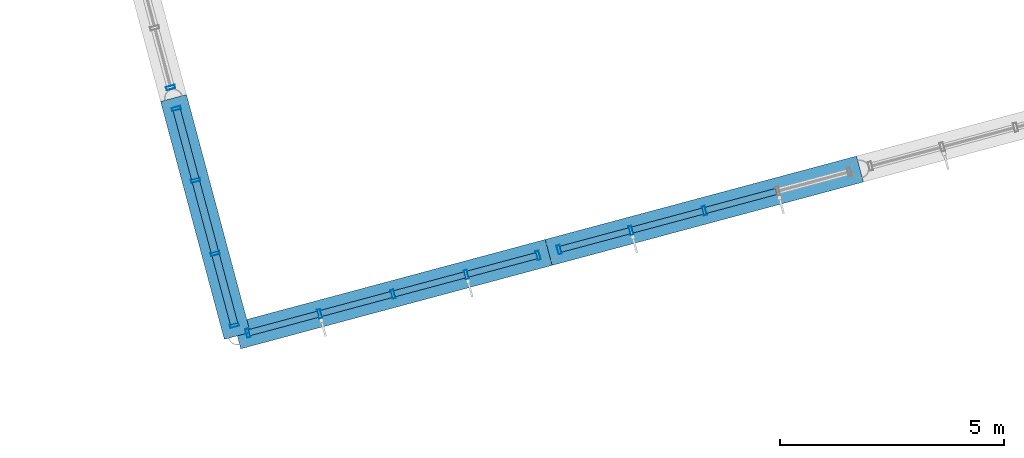
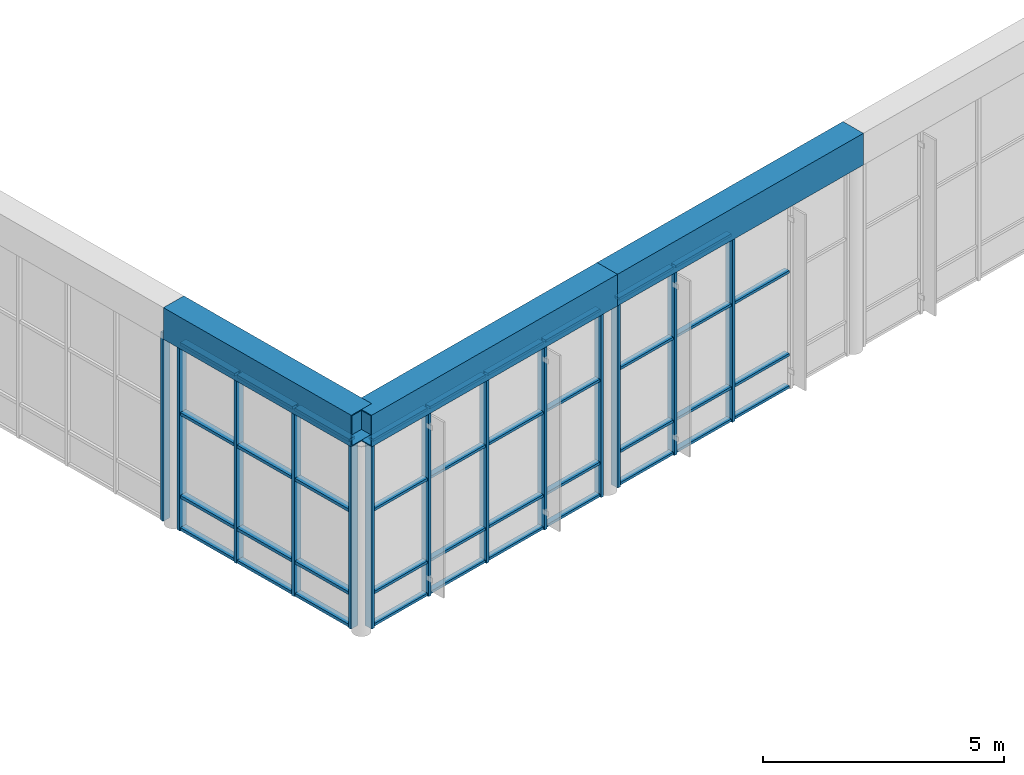
# One storey, part 11 of 55: 52 members, 3 beams, 4 elements without a shape of their own.
"""IFC4 building model written with IfcOpenShell, lengths in metres."""

from ifc_helpers import new_model, si_unit, direction, frame, origin, origin_2d, place, context, subcontext, project, spatial, hollow_rectangle, extrude, material, layer, layer_set, material_profile, profile_set, type_object, element, aggregate, save


model = new_model("IFC4")

# Units and contexts
model_context = context("Model", 3, precision=1e-05, world=origin(), true_north=direction((0.0, 1.0)))
body_context = subcontext(model_context, "Body", "Model", "MODEL_VIEW")
ifc_project = project(units=[si_unit("LENGTHUNIT", "METRE"), si_unit("AREAUNIT", "SQUARE_METRE"), si_unit("VOLUMEUNIT", "CUBIC_METRE"), si_unit("PLANEANGLEUNIT", "RADIAN"), si_unit("MASSUNIT", "GRAM", prefix="KILO")], contexts=[model_context])

# Site, building, storey
site_placement = place(None, origin())
site = spatial("IfcSite", under=ifc_project, at=site_placement, CompositionType="ELEMENT")
building_placement = place(site_placement, origin())
building = spatial("IfcBuilding", under=site, at=building_placement, Name="Ventoquebrada Cableway Terminal", CompositionType="ELEMENT")
storey_placement = place(building_placement, frame((0.0, 0.0, 14.39990234375)))
storey = spatial("IfcBuildingStorey", under=building, at=storey_placement, Name="L03", CompositionType="ELEMENT", Elevation=14.39990234375)

# Curtain wall, members
ifc_material_1 = material(Name="Anodized thermally-broken aluminium", Category="aluminium")
ifc_layer_1 = layer(ifc_material_1, 0.159912109375)
ifc_layer_set_1 = layer_set([ifc_layer_1], Name="Anodized thermally-broken aluminium")
curtain_wall_type_1 = type_object("IfcCurtainWallType", Name="CW-T42", PredefinedType="USERDEFINED", material=ifc_layer_set_1)
curtain_wall_1_placement = place(storey_placement, origin())
curtain_wall_1 = element("IfcCurtainWall", 1, at=curtain_wall_1_placement, inside=storey, type_object=curtain_wall_type_1, Name="Unitised glazed curtain wall CW-115", ObjectType="UNITISED CURTAIN WALL", PredefinedType="USERDEFINED")
ifc_material_profile_1 = material_profile(ifc_material_1, hollow_rectangle(XDim=0.074951171875, YDim=0.199951171875, WallThickness=0.00439453125, at=origin_2d()), Name="CW-MUL-75X200")
ifc_profile_set_1 = profile_set([ifc_material_profile_1], Name="Anodized thermally-broken aluminium")
member_type_1 = type_object("IfcMemberType", Name="CWM-02", PredefinedType="MULLION", material=ifc_profile_set_1)
member_1_placement = place(storey_placement, frame((52.212890625, 69.846923828125, -0.0078125), z_axis=(0.0, 0.0, 1.0), x_axis=(0.965921308897, 0.258835903649, 0.0)))
member_1 = element("IfcMember", 2, at=member_1_placement, type_object=member_type_1, Name="Curtain wall mullion FML-0556", PredefinedType="MULLION", context=body_context, shape_type="SweptSolid", body=[
    extrude(hollow_rectangle(XDim=0.074951171875, YDim=0.199951171875, WallThickness=0.00439453125, at=origin_2d()), origin(), (0.0, 0.0, 1.0), 4.762939453125),
])
member_2_placement = place(storey_placement, frame((53.81689453125, 70.277099609375, -0.0078125), z_axis=(0.0, 0.0, 1.0), x_axis=(0.965921308897, 0.258835903649, 0.0)))
member_2 = element("IfcMember", 3, at=member_2_placement, type_object=member_type_1, Name="Curtain wall mullion FML-0557", PredefinedType="MULLION", context=body_context, shape_type="SweptSolid", body=[
    extrude(hollow_rectangle(XDim=0.074951171875, YDim=0.199951171875, WallThickness=0.00439453125, at=origin_2d()), origin(), (0.0, 0.0, 1.0), 4.762939453125),
])
member_3_placement = place(storey_placement, frame((55.4560546875, 70.716064453125, -0.0078125), z_axis=(0.0, 0.0, 1.0), x_axis=(0.965921308897, 0.258835903649, 0.0)))
member_3 = element("IfcMember", 4, at=member_3_placement, type_object=member_type_1, Name="Curtain wall mullion FML-0558", PredefinedType="MULLION", context=body_context, shape_type="SweptSolid", body=[
    extrude(hollow_rectangle(XDim=0.074951171875, YDim=0.199951171875, WallThickness=0.00439453125, at=origin_2d()), origin(), (0.0, 0.0, 1.0), 4.762939453125),
])
member_4_placement = place(storey_placement, frame((57.093994140625, 71.155029296875, -0.0078125), z_axis=(0.0, 0.0, 1.0), x_axis=(0.965921308897, 0.258835903649, 0.0)))
member_4 = element("IfcMember", 5, at=member_4_placement, type_object=member_type_1, Name="Curtain wall mullion FML-0559", PredefinedType="MULLION", context=body_context, shape_type="SweptSolid", body=[
    extrude(hollow_rectangle(XDim=0.074951171875, YDim=0.199951171875, WallThickness=0.00439453125, at=origin_2d()), origin(), (0.0, 0.0, 1.0), 4.762939453125),
])
member_5_placement = place(storey_placement, frame((58.697998046875, 71.5849609375, -0.0078125), z_axis=(0.0, 0.0, 1.0), x_axis=(0.965921308897, 0.258835903649, 0.0)))
member_5 = element("IfcMember", 6, at=member_5_placement, type_object=member_type_1, Name="Curtain wall mullion FML-0560", PredefinedType="MULLION", context=body_context, shape_type="SweptSolid", body=[
    extrude(hollow_rectangle(XDim=0.074951171875, YDim=0.199951171875, WallThickness=0.00439453125, at=origin_2d()), origin(), (0.0, 0.0, 1.0), 4.762939453125),
])

curtain_wall_2_placement = place(storey_placement, origin())
curtain_wall_2 = element("IfcCurtainWall", 7, at=curtain_wall_2_placement, inside=storey, type_object=curtain_wall_type_1, Name="Unitised glazed curtain wall CW-116", ObjectType="UNITISED CURTAIN WALL", PredefinedType="USERDEFINED")
member_6_placement = place(storey_placement, frame((59.16796875, 71.7109375, -0.0078125), z_axis=(0.0, 0.0, 1.0), x_axis=(0.965948408834, 0.258734751187, 0.0)))
member_6 = element("IfcMember", 8, at=member_6_placement, type_object=member_type_1, Name="Curtain wall mullion FML-0561", PredefinedType="MULLION", context=body_context, shape_type="SweptSolid", body=[
    extrude(hollow_rectangle(XDim=0.074951171875, YDim=0.199951171875, WallThickness=0.00439453125, at=origin_2d()), origin(), (0.0, 0.0, 1.0), 4.762939453125),
])
member_7_placement = place(storey_placement, frame((60.77197265625, 72.14111328125, -0.0078125), z_axis=(0.0, 0.0, 1.0), x_axis=(0.965948408834, 0.258734751187, 0.0)))
member_7 = element("IfcMember", 9, at=member_7_placement, type_object=member_type_1, Name="Curtain wall mullion FML-0562", PredefinedType="MULLION", context=body_context, shape_type="SweptSolid", body=[
    extrude(hollow_rectangle(XDim=0.074951171875, YDim=0.199951171875, WallThickness=0.00439453125, at=origin_2d()), origin(), (0.0, 0.0, 1.0), 4.762939453125),
])
member_8_placement = place(storey_placement, frame((62.409912109375, 72.5791015625, -0.0078125), z_axis=(0.0, 0.0, 1.0), x_axis=(0.965948408834, 0.258734751187, 0.0)))
member_8 = element("IfcMember", 10, at=member_8_placement, type_object=member_type_1, Name="Curtain wall mullion FML-0563", PredefinedType="MULLION", context=body_context, shape_type="SweptSolid", body=[
    extrude(hollow_rectangle(XDim=0.074951171875, YDim=0.199951171875, WallThickness=0.00439453125, at=origin_2d()), origin(), (0.0, 0.0, 1.0), 4.762939453125),
])

ifc_layer_2 = layer(ifc_material_1, 0.159912109375)
ifc_layer_set_2 = layer_set([ifc_layer_2], Name="Anodized thermally-broken aluminium")
curtain_wall_type_2 = type_object("IfcCurtainWallType", Name="CW-T43", PredefinedType="USERDEFINED", material=ifc_layer_set_2)
curtain_wall_3_placement = place(storey_placement, origin())
curtain_wall_3 = element("IfcCurtainWall", 11, at=curtain_wall_3_placement, inside=storey, type_object=curtain_wall_type_2, Name="Unitised glazed curtain wall CW-125", ObjectType="UNITISED CURTAIN WALL", PredefinedType="USERDEFINED")
member_9_placement = place(storey_placement, frame((50.616943359375, 74.862060546875, -0.0078125), z_axis=(0.0, 0.0, 1.0), x_axis=(0.258835903649, -0.965921308897, 0.0)))
member_9 = element("IfcMember", 12, at=member_9_placement, type_object=member_type_1, Name="Curtain wall mullion FML-0606", PredefinedType="MULLION", context=body_context, shape_type="SweptSolid", body=[
    extrude(hollow_rectangle(XDim=0.074951171875, YDim=0.199951171875, WallThickness=0.00439453125, at=origin_2d()), origin(), (0.0, 0.0, 1.0), 4.762939453125),
])
member_10_placement = place(storey_placement, frame((51.047119140625, 73.259033203125, -0.0078125), z_axis=(0.0, 0.0, 1.0), x_axis=(0.258835903649, -0.965921308897, 0.0)))
member_10 = element("IfcMember", 13, at=member_10_placement, type_object=member_type_1, Name="Curtain wall mullion FML-0607", PredefinedType="MULLION", context=body_context, shape_type="SweptSolid", body=[
    extrude(hollow_rectangle(XDim=0.074951171875, YDim=0.199951171875, WallThickness=0.00439453125, at=origin_2d()), origin(), (0.0, 0.0, 1.0), 4.762939453125),
])
member_11_placement = place(storey_placement, frame((51.485107421875, 71.6220703125, -0.0078125), z_axis=(0.0, 0.0, 1.0), x_axis=(0.258835903649, -0.965921308897, 0.0)))
member_11 = element("IfcMember", 14, at=member_11_placement, type_object=member_type_1, Name="Curtain wall mullion FML-0608", PredefinedType="MULLION", context=body_context, shape_type="SweptSolid", body=[
    extrude(hollow_rectangle(XDim=0.074951171875, YDim=0.199951171875, WallThickness=0.00439453125, at=origin_2d()), origin(), (0.0, 0.0, 1.0), 4.762939453125),
])
member_12_placement = place(storey_placement, frame((51.9150390625, 70.01904296875, -0.0078125), z_axis=(0.0, 0.0, 1.0), x_axis=(0.258835903649, -0.965921308897, 0.0)))
member_12 = element("IfcMember", 15, at=member_12_placement, type_object=member_type_1, Name="Curtain wall mullion FML-0609", PredefinedType="MULLION", context=body_context, shape_type="SweptSolid", body=[
    extrude(hollow_rectangle(XDim=0.074951171875, YDim=0.199951171875, WallThickness=0.00439453125, at=origin_2d()), origin(), (0.0, 0.0, 1.0), 4.762939453125),
])

# Curtain wall, member
ifc_layer_3 = layer(ifc_material_1, 0.159912109375)
ifc_layer_set_3 = layer_set([ifc_layer_3], Name="Anodized thermally-broken aluminium")
curtain_wall_type_3 = type_object("IfcCurtainWallType", Name="CW-T44", PredefinedType="USERDEFINED", material=ifc_layer_set_3)
curtain_wall_4_placement = place(storey_placement, origin())
curtain_wall_4 = element("IfcCurtainWall", 16, at=curtain_wall_4_placement, inside=storey, type_object=curtain_wall_type_3, Name="Unitised glazed curtain wall CW-126", ObjectType="UNITISED CURTAIN WALL", PredefinedType="USERDEFINED")
member_13_placement = place(storey_placement, frame((50.490966796875, 75.33203125, -0.0078125), z_axis=(0.0, 0.0, 1.0), x_axis=(0.258785327773, -0.96593486019, 0.0)))
member_13 = element("IfcMember", 17, at=member_13_placement, type_object=member_type_1, Name="Curtain wall mullion FML-0615", PredefinedType="MULLION", context=body_context, shape_type="SweptSolid", body=[
    extrude(hollow_rectangle(XDim=0.074951171875, YDim=0.199951171875, WallThickness=0.00439453125, at=origin_2d()), origin(), (0.0, 0.0, 1.0), 4.762939453125),
])
aggregate(curtain_wall_4, [member_13])

# Member
ifc_material_profile_2 = material_profile(ifc_material_1, hollow_rectangle(XDim=0.06494140625, YDim=0.139892578125, WallThickness=0.00390625, at=origin_2d()), Name="CW-TRN-65X140")
ifc_profile_set_2 = profile_set([ifc_material_profile_2], Name="Anodized thermally-broken aluminium")
member_type_2 = type_object("IfcMemberType", Name="CWT-01", PredefinedType="USERDEFINED", material=ifc_profile_set_2)
member_14_placement = place(storey_placement, frame((52.243896484375, 69.85498046875, 0.03515625), z_axis=(0.965786809484, 0.259337306663, 0.0), x_axis=(0.0, 0.0, 1.0)))
member_14 = element("IfcMember", 18, at=member_14_placement, type_object=member_type_2, Name="Curtain wall transom FTR-1632", ObjectType="TRANSOM", PredefinedType="USERDEFINED", context=body_context, shape_type="SweptSolid", body=[
    extrude(hollow_rectangle(XDim=0.06494140625, YDim=0.139892578125, WallThickness=0.00390625, at=origin_2d()), origin(), (0.0, 0.0, 1.0), 1.5966796875),
])

member_15_placement = place(storey_placement, frame((52.243896484375, 69.85498046875, 0.85009765625), z_axis=(0.965786809484, 0.259337306663, 0.0), x_axis=(0.0, 0.0, 1.0)))
member_15 = element("IfcMember", 19, at=member_15_placement, type_object=member_type_2, Name="Curtain wall transom FTR-1633", ObjectType="TRANSOM", PredefinedType="USERDEFINED", context=body_context, shape_type="SweptSolid", body=[
    extrude(hollow_rectangle(XDim=0.06494140625, YDim=0.139892578125, WallThickness=0.00390625, at=origin_2d()), origin(), (0.0, 0.0, 1.0), 1.5966796875),
])

member_16_placement = place(storey_placement, frame((52.243896484375, 69.85498046875, 2.945068359375), z_axis=(0.965786809484, 0.259337306663, 0.0), x_axis=(0.0, 0.0, 1.0)))
member_16 = element("IfcMember", 20, at=member_16_placement, type_object=member_type_2, Name="Curtain wall transom FTR-1634", ObjectType="TRANSOM", PredefinedType="USERDEFINED", context=body_context, shape_type="SweptSolid", body=[
    extrude(hollow_rectangle(XDim=0.06494140625, YDim=0.139892578125, WallThickness=0.00390625, at=origin_2d()), origin(), (0.0, 0.0, 1.0), 1.5966796875),
])

member_17_placement = place(storey_placement, frame((52.243896484375, 69.85498046875, 4.715087890625), z_axis=(0.965786809484, 0.259337306663, 0.0), x_axis=(0.0, 0.0, 1.0)))
member_17 = element("IfcMember", 21, at=member_17_placement, type_object=member_type_2, Name="Curtain wall transom FTR-1635", ObjectType="TRANSOM", PredefinedType="USERDEFINED", context=body_context, shape_type="SweptSolid", body=[
    extrude(hollow_rectangle(XDim=0.06494140625, YDim=0.139892578125, WallThickness=0.00390625, at=origin_2d()), origin(), (0.0, 0.0, 1.0), 1.5966796875),
])

member_18_placement = place(storey_placement, frame((53.84912109375, 70.284912109375, 0.03515625), z_axis=(0.965758711312, 0.259441923222, 0.0), x_axis=(0.0, 0.0, 1.0)))
member_18 = element("IfcMember", 22, at=member_18_placement, type_object=member_type_2, Name="Curtain wall transom FTR-1636", ObjectType="TRANSOM", PredefinedType="USERDEFINED", context=body_context, shape_type="SweptSolid", body=[
    extrude(hollow_rectangle(XDim=0.06494140625, YDim=0.139892578125, WallThickness=0.00390625, at=origin_2d()), origin(), (0.0, 0.0, 1.0), 1.630859375),
])

member_19_placement = place(storey_placement, frame((53.84912109375, 70.284912109375, 0.85009765625), z_axis=(0.965758711312, 0.259441923222, 0.0), x_axis=(0.0, 0.0, 1.0)))
member_19 = element("IfcMember", 23, at=member_19_placement, type_object=member_type_2, Name="Curtain wall transom FTR-1637", ObjectType="TRANSOM", PredefinedType="USERDEFINED", context=body_context, shape_type="SweptSolid", body=[
    extrude(hollow_rectangle(XDim=0.06494140625, YDim=0.139892578125, WallThickness=0.00390625, at=origin_2d()), origin(), (0.0, 0.0, 1.0), 1.630859375),
])

member_20_placement = place(storey_placement, frame((53.84912109375, 70.284912109375, 2.945068359375), z_axis=(0.965758711312, 0.259441923222, 0.0), x_axis=(0.0, 0.0, 1.0)))
member_20 = element("IfcMember", 24, at=member_20_placement, type_object=member_type_2, Name="Curtain wall transom FTR-1638", ObjectType="TRANSOM", PredefinedType="USERDEFINED", context=body_context, shape_type="SweptSolid", body=[
    extrude(hollow_rectangle(XDim=0.06494140625, YDim=0.139892578125, WallThickness=0.00390625, at=origin_2d()), origin(), (0.0, 0.0, 1.0), 1.630859375),
])

member_21_placement = place(storey_placement, frame((53.84912109375, 70.284912109375, 4.715087890625), z_axis=(0.965758711312, 0.259441923222, 0.0), x_axis=(0.0, 0.0, 1.0)))
member_21 = element("IfcMember", 25, at=member_21_placement, type_object=member_type_2, Name="Curtain wall transom FTR-1639", ObjectType="TRANSOM", PredefinedType="USERDEFINED", context=body_context, shape_type="SweptSolid", body=[
    extrude(hollow_rectangle(XDim=0.06494140625, YDim=0.139892578125, WallThickness=0.00390625, at=origin_2d()), origin(), (0.0, 0.0, 1.0), 1.630859375),
])

member_22_placement = place(storey_placement, frame((55.487060546875, 70.72412109375, 0.03515625), z_axis=(0.96579621296, 0.259302285048, 0.0), x_axis=(0.0, 0.0, 1.0)))
member_22 = element("IfcMember", 26, at=member_22_placement, type_object=member_type_2, Name="Curtain wall transom FTR-1640", ObjectType="TRANSOM", PredefinedType="USERDEFINED", context=body_context, shape_type="SweptSolid", body=[
    extrude(hollow_rectangle(XDim=0.06494140625, YDim=0.139892578125, WallThickness=0.00390625, at=origin_2d()), origin(), (0.0, 0.0, 1.0), 1.630615234375),
])

member_23_placement = place(storey_placement, frame((55.487060546875, 70.72412109375, 0.85009765625), z_axis=(0.96579621296, 0.259302285048, 0.0), x_axis=(0.0, 0.0, 1.0)))
member_23 = element("IfcMember", 27, at=member_23_placement, type_object=member_type_2, Name="Curtain wall transom FTR-1641", ObjectType="TRANSOM", PredefinedType="USERDEFINED", context=body_context, shape_type="SweptSolid", body=[
    extrude(hollow_rectangle(XDim=0.06494140625, YDim=0.139892578125, WallThickness=0.00390625, at=origin_2d()), origin(), (0.0, 0.0, 1.0), 1.630615234375),
])

member_24_placement = place(storey_placement, frame((55.487060546875, 70.72412109375, 2.945068359375), z_axis=(0.96579621296, 0.259302285048, 0.0), x_axis=(0.0, 0.0, 1.0)))
member_24 = element("IfcMember", 28, at=member_24_placement, type_object=member_type_2, Name="Curtain wall transom FTR-1642", ObjectType="TRANSOM", PredefinedType="USERDEFINED", context=body_context, shape_type="SweptSolid", body=[
    extrude(hollow_rectangle(XDim=0.06494140625, YDim=0.139892578125, WallThickness=0.00390625, at=origin_2d()), origin(), (0.0, 0.0, 1.0), 1.630615234375),
])

member_25_placement = place(storey_placement, frame((55.487060546875, 70.72412109375, 4.715087890625), z_axis=(0.96579621296, 0.259302285048, 0.0), x_axis=(0.0, 0.0, 1.0)))
member_25 = element("IfcMember", 29, at=member_25_placement, type_object=member_type_2, Name="Curtain wall transom FTR-1643", ObjectType="TRANSOM", PredefinedType="USERDEFINED", context=body_context, shape_type="SweptSolid", body=[
    extrude(hollow_rectangle(XDim=0.06494140625, YDim=0.139892578125, WallThickness=0.00390625, at=origin_2d()), origin(), (0.0, 0.0, 1.0), 1.630615234375),
])

member_26_placement = place(storey_placement, frame((57.125, 71.1630859375, 0.03515625), z_axis=(0.965825099292, 0.2591946712, 0.0), x_axis=(0.0, 0.0, 1.0)))
member_26 = element("IfcMember", 30, at=member_26_placement, type_object=member_type_2, Name="Curtain wall transom FTR-1644", ObjectType="TRANSOM", PredefinedType="USERDEFINED", context=body_context, shape_type="SweptSolid", body=[
    extrude(hollow_rectangle(XDim=0.06494140625, YDim=0.139892578125, WallThickness=0.00390625, at=origin_2d()), origin(), (0.0, 0.0, 1.0), 1.596435546875),
])

member_27_placement = place(storey_placement, frame((57.125, 71.1630859375, 0.85009765625), z_axis=(0.965825099292, 0.2591946712, 0.0), x_axis=(0.0, 0.0, 1.0)))
member_27 = element("IfcMember", 31, at=member_27_placement, type_object=member_type_2, Name="Curtain wall transom FTR-1645", ObjectType="TRANSOM", PredefinedType="USERDEFINED", context=body_context, shape_type="SweptSolid", body=[
    extrude(hollow_rectangle(XDim=0.06494140625, YDim=0.139892578125, WallThickness=0.00390625, at=origin_2d()), origin(), (0.0, 0.0, 1.0), 1.596435546875),
])

member_28_placement = place(storey_placement, frame((57.125, 71.1630859375, 2.945068359375), z_axis=(0.965825099292, 0.2591946712, 0.0), x_axis=(0.0, 0.0, 1.0)))
member_28 = element("IfcMember", 32, at=member_28_placement, type_object=member_type_2, Name="Curtain wall transom FTR-1646", ObjectType="TRANSOM", PredefinedType="USERDEFINED", context=body_context, shape_type="SweptSolid", body=[
    extrude(hollow_rectangle(XDim=0.06494140625, YDim=0.139892578125, WallThickness=0.00390625, at=origin_2d()), origin(), (0.0, 0.0, 1.0), 1.596435546875),
])

member_29_placement = place(storey_placement, frame((57.125, 71.1630859375, 4.715087890625), z_axis=(0.965825099292, 0.2591946712, 0.0), x_axis=(0.0, 0.0, 1.0)))
member_29 = element("IfcMember", 33, at=member_29_placement, type_object=member_type_2, Name="Curtain wall transom FTR-1647", ObjectType="TRANSOM", PredefinedType="USERDEFINED", context=body_context, shape_type="SweptSolid", body=[
    extrude(hollow_rectangle(XDim=0.06494140625, YDim=0.139892578125, WallThickness=0.00390625, at=origin_2d()), origin(), (0.0, 0.0, 1.0), 1.596435546875),
])

aggregate(curtain_wall_1, [member_1, member_2, member_3, member_4, member_5, member_14, member_15, member_16, member_17, member_18, member_19, member_20, member_21, member_22, member_23, member_24, member_25, member_26, member_27, member_28, member_29])

member_30_placement = place(storey_placement, frame((59.198974609375, 71.718994140625, 0.03515625), z_axis=(0.96593986049, 0.25876666307, 0.0), x_axis=(0.0, 0.0, 1.0)))
member_30 = element("IfcMember", 34, at=member_30_placement, type_object=member_type_2, Name="Curtain wall transom FTR-1648", ObjectType="TRANSOM", PredefinedType="USERDEFINED", context=body_context, shape_type="SweptSolid", body=[
    extrude(hollow_rectangle(XDim=0.06494140625, YDim=0.139892578125, WallThickness=0.00390625, at=origin_2d()), origin(), (0.0, 0.0, 1.0), 1.596435546875),
])

member_31_placement = place(storey_placement, frame((59.198974609375, 71.718994140625, 0.85009765625), z_axis=(0.96593986049, 0.25876666307, 0.0), x_axis=(0.0, 0.0, 1.0)))
member_31 = element("IfcMember", 35, at=member_31_placement, type_object=member_type_2, Name="Curtain wall transom FTR-1649", ObjectType="TRANSOM", PredefinedType="USERDEFINED", context=body_context, shape_type="SweptSolid", body=[
    extrude(hollow_rectangle(XDim=0.06494140625, YDim=0.139892578125, WallThickness=0.00390625, at=origin_2d()), origin(), (0.0, 0.0, 1.0), 1.596435546875),
])

member_32_placement = place(storey_placement, frame((59.198974609375, 71.718994140625, 2.945068359375), z_axis=(0.96593986049, 0.25876666307, 0.0), x_axis=(0.0, 0.0, 1.0)))
member_32 = element("IfcMember", 36, at=member_32_placement, type_object=member_type_2, Name="Curtain wall transom FTR-1650", ObjectType="TRANSOM", PredefinedType="USERDEFINED", context=body_context, shape_type="SweptSolid", body=[
    extrude(hollow_rectangle(XDim=0.06494140625, YDim=0.139892578125, WallThickness=0.00390625, at=origin_2d()), origin(), (0.0, 0.0, 1.0), 1.596435546875),
])

member_33_placement = place(storey_placement, frame((59.198974609375, 71.718994140625, 4.715087890625), z_axis=(0.96593986049, 0.25876666307, 0.0), x_axis=(0.0, 0.0, 1.0)))
member_33 = element("IfcMember", 37, at=member_33_placement, type_object=member_type_2, Name="Curtain wall transom FTR-1651", ObjectType="TRANSOM", PredefinedType="USERDEFINED", context=body_context, shape_type="SweptSolid", body=[
    extrude(hollow_rectangle(XDim=0.06494140625, YDim=0.139892578125, WallThickness=0.00390625, at=origin_2d()), origin(), (0.0, 0.0, 1.0), 1.596435546875),
])

member_34_placement = place(storey_placement, frame((60.802978515625, 72.14892578125, 0.03515625), z_axis=(0.965948719353, 0.258733591907, 0.0), x_axis=(0.0, 0.0, 1.0)))
member_34 = element("IfcMember", 38, at=member_34_placement, type_object=member_type_2, Name="Curtain wall transom FTR-1652", ObjectType="TRANSOM", PredefinedType="USERDEFINED", context=body_context, shape_type="SweptSolid", body=[
    extrude(hollow_rectangle(XDim=0.06494140625, YDim=0.139892578125, WallThickness=0.00390625, at=origin_2d()), origin(), (0.0, 0.0, 1.0), 1.631591796875),
])

member_35_placement = place(storey_placement, frame((60.802978515625, 72.14892578125, 0.85009765625), z_axis=(0.965948719353, 0.258733591907, 0.0), x_axis=(0.0, 0.0, 1.0)))
member_35 = element("IfcMember", 39, at=member_35_placement, type_object=member_type_2, Name="Curtain wall transom FTR-1653", ObjectType="TRANSOM", PredefinedType="USERDEFINED", context=body_context, shape_type="SweptSolid", body=[
    extrude(hollow_rectangle(XDim=0.06494140625, YDim=0.139892578125, WallThickness=0.00390625, at=origin_2d()), origin(), (0.0, 0.0, 1.0), 1.631591796875),
])

member_36_placement = place(storey_placement, frame((60.802978515625, 72.14892578125, 2.945068359375), z_axis=(0.965948719353, 0.258733591907, 0.0), x_axis=(0.0, 0.0, 1.0)))
member_36 = element("IfcMember", 40, at=member_36_placement, type_object=member_type_2, Name="Curtain wall transom FTR-1654", ObjectType="TRANSOM", PredefinedType="USERDEFINED", context=body_context, shape_type="SweptSolid", body=[
    extrude(hollow_rectangle(XDim=0.06494140625, YDim=0.139892578125, WallThickness=0.00390625, at=origin_2d()), origin(), (0.0, 0.0, 1.0), 1.631591796875),
])

member_37_placement = place(storey_placement, frame((60.802978515625, 72.14892578125, 4.715087890625), z_axis=(0.965948719353, 0.258733591907, 0.0), x_axis=(0.0, 0.0, 1.0)))
member_37 = element("IfcMember", 41, at=member_37_placement, type_object=member_type_2, Name="Curtain wall transom FTR-1655", ObjectType="TRANSOM", PredefinedType="USERDEFINED", context=body_context, shape_type="SweptSolid", body=[
    extrude(hollow_rectangle(XDim=0.06494140625, YDim=0.139892578125, WallThickness=0.00390625, at=origin_2d()), origin(), (0.0, 0.0, 1.0), 1.631591796875),
])

member_38_placement = place(storey_placement, frame((62.44091796875, 72.587890625, 0.03515625), z_axis=(0.965958734776, 0.258696197712, 0.0), x_axis=(0.0, 0.0, 1.0)))
member_38 = element("IfcMember", 42, at=member_38_placement, type_object=member_type_2, Name="Curtain wall transom FTR-1656", ObjectType="TRANSOM", PredefinedType="USERDEFINED", context=body_context, shape_type="SweptSolid", body=[
    extrude(hollow_rectangle(XDim=0.06494140625, YDim=0.139892578125, WallThickness=0.00390625, at=origin_2d()), origin(), (0.0, 0.0, 1.0), 1.6318359375),
])

member_39_placement = place(storey_placement, frame((62.44091796875, 72.587890625, 0.85009765625), z_axis=(0.965958734776, 0.258696197712, 0.0), x_axis=(0.0, 0.0, 1.0)))
member_39 = element("IfcMember", 43, at=member_39_placement, type_object=member_type_2, Name="Curtain wall transom FTR-1657", ObjectType="TRANSOM", PredefinedType="USERDEFINED", context=body_context, shape_type="SweptSolid", body=[
    extrude(hollow_rectangle(XDim=0.06494140625, YDim=0.139892578125, WallThickness=0.00390625, at=origin_2d()), origin(), (0.0, 0.0, 1.0), 1.6318359375),
])

member_40_placement = place(storey_placement, frame((62.44091796875, 72.587890625, 2.945068359375), z_axis=(0.965958734776, 0.258696197712, 0.0), x_axis=(0.0, 0.0, 1.0)))
member_40 = element("IfcMember", 44, at=member_40_placement, type_object=member_type_2, Name="Curtain wall transom FTR-1658", ObjectType="TRANSOM", PredefinedType="USERDEFINED", context=body_context, shape_type="SweptSolid", body=[
    extrude(hollow_rectangle(XDim=0.06494140625, YDim=0.139892578125, WallThickness=0.00390625, at=origin_2d()), origin(), (0.0, 0.0, 1.0), 1.6318359375),
])

aggregate(curtain_wall_2, [member_6, member_7, member_8, member_30, member_31, member_32, member_33, member_34, member_35, member_36, member_37, member_38, member_39, member_40])

ifc_material_profile_3 = material_profile(ifc_material_1, hollow_rectangle(XDim=0.074951171875, YDim=0.169921875, WallThickness=0.00439453125, at=origin_2d()), Name="CW-TRN-75X170")
ifc_profile_set_3 = profile_set([ifc_material_profile_3], Name="Anodized thermally-broken aluminium")
member_type_3 = type_object("IfcMemberType", Name="CWT-03", PredefinedType="USERDEFINED", material=ifc_profile_set_3)
member_41_placement = place(storey_placement, frame((50.625, 74.8310546875, 0.03515625), z_axis=(0.258919656878, -0.965898861829, 0.0), x_axis=(0.0, 0.0, 1.0)))
member_41 = element("IfcMember", 45, at=member_41_placement, type_object=member_type_3, Name="Curtain wall transom FTR-1792", ObjectType="TRANSOM", PredefinedType="USERDEFINED", context=body_context, shape_type="SweptSolid", body=[
    extrude(hollow_rectangle(XDim=0.074951171875, YDim=0.169921875, WallThickness=0.00439453125, at=origin_2d()), origin(), (0.0, 0.0, 1.0), 1.595458984375),
])

member_42_placement = place(storey_placement, frame((50.625, 74.8310546875, 0.85009765625), z_axis=(0.258919656878, -0.965898861829, 0.0), x_axis=(0.0, 0.0, 1.0)))
member_42 = element("IfcMember", 46, at=member_42_placement, type_object=member_type_3, Name="Curtain wall transom FTR-1793", ObjectType="TRANSOM", PredefinedType="USERDEFINED", context=body_context, shape_type="SweptSolid", body=[
    extrude(hollow_rectangle(XDim=0.074951171875, YDim=0.169921875, WallThickness=0.00439453125, at=origin_2d()), origin(), (0.0, 0.0, 1.0), 1.595458984375),
])

member_43_placement = place(storey_placement, frame((50.625, 74.8310546875, 2.945068359375), z_axis=(0.258919656878, -0.965898861829, 0.0), x_axis=(0.0, 0.0, 1.0)))
member_43 = element("IfcMember", 47, at=member_43_placement, type_object=member_type_3, Name="Curtain wall transom FTR-1794", ObjectType="TRANSOM", PredefinedType="USERDEFINED", context=body_context, shape_type="SweptSolid", body=[
    extrude(hollow_rectangle(XDim=0.074951171875, YDim=0.169921875, WallThickness=0.00439453125, at=origin_2d()), origin(), (0.0, 0.0, 1.0), 1.595458984375),
])

member_44_placement = place(storey_placement, frame((50.625, 74.8310546875, 4.715087890625), z_axis=(0.258919656878, -0.965898861829, 0.0), x_axis=(0.0, 0.0, 1.0)))
member_44 = element("IfcMember", 48, at=member_44_placement, type_object=member_type_3, Name="Curtain wall transom FTR-1795", ObjectType="TRANSOM", PredefinedType="USERDEFINED", context=body_context, shape_type="SweptSolid", body=[
    extrude(hollow_rectangle(XDim=0.074951171875, YDim=0.169921875, WallThickness=0.00439453125, at=origin_2d()), origin(), (0.0, 0.0, 1.0), 1.595458984375),
])

member_45_placement = place(storey_placement, frame((51.054931640625, 73.22802734375, 0.03515625), z_axis=(0.258883272972, -0.965908614195, 0.0), x_axis=(0.0, 0.0, 1.0)))
member_45 = element("IfcMember", 49, at=member_45_placement, type_object=member_type_3, Name="Curtain wall transom FTR-1796", ObjectType="TRANSOM", PredefinedType="USERDEFINED", context=body_context, shape_type="SweptSolid", body=[
    extrude(hollow_rectangle(XDim=0.074951171875, YDim=0.169921875, WallThickness=0.00439453125, at=origin_2d()), origin(), (0.0, 0.0, 1.0), 1.630615234375),
])

member_46_placement = place(storey_placement, frame((51.054931640625, 73.22802734375, 0.85009765625), z_axis=(0.258883272972, -0.965908614195, 0.0), x_axis=(0.0, 0.0, 1.0)))
member_46 = element("IfcMember", 50, at=member_46_placement, type_object=member_type_3, Name="Curtain wall transom FTR-1797", ObjectType="TRANSOM", PredefinedType="USERDEFINED", context=body_context, shape_type="SweptSolid", body=[
    extrude(hollow_rectangle(XDim=0.074951171875, YDim=0.169921875, WallThickness=0.00439453125, at=origin_2d()), origin(), (0.0, 0.0, 1.0), 1.630615234375),
])

member_47_placement = place(storey_placement, frame((51.054931640625, 73.22802734375, 2.945068359375), z_axis=(0.258883272972, -0.965908614195, 0.0), x_axis=(0.0, 0.0, 1.0)))
member_47 = element("IfcMember", 51, at=member_47_placement, type_object=member_type_3, Name="Curtain wall transom FTR-1798", ObjectType="TRANSOM", PredefinedType="USERDEFINED", context=body_context, shape_type="SweptSolid", body=[
    extrude(hollow_rectangle(XDim=0.074951171875, YDim=0.169921875, WallThickness=0.00439453125, at=origin_2d()), origin(), (0.0, 0.0, 1.0), 1.630615234375),
])

member_48_placement = place(storey_placement, frame((51.054931640625, 73.22802734375, 4.715087890625), z_axis=(0.258883272972, -0.965908614195, 0.0), x_axis=(0.0, 0.0, 1.0)))
member_48 = element("IfcMember", 52, at=member_48_placement, type_object=member_type_3, Name="Curtain wall transom FTR-1799", ObjectType="TRANSOM", PredefinedType="USERDEFINED", context=body_context, shape_type="SweptSolid", body=[
    extrude(hollow_rectangle(XDim=0.074951171875, YDim=0.169921875, WallThickness=0.00439453125, at=origin_2d()), origin(), (0.0, 0.0, 1.0), 1.630615234375),
])

member_49_placement = place(storey_placement, frame((51.493896484375, 71.591064453125, 0.03515625), z_axis=(0.258919656878, -0.965898861829, 0.0), x_axis=(0.0, 0.0, 1.0)))
member_49 = element("IfcMember", 53, at=member_49_placement, type_object=member_type_3, Name="Curtain wall transom FTR-1800", ObjectType="TRANSOM", PredefinedType="USERDEFINED", context=body_context, shape_type="SweptSolid", body=[
    extrude(hollow_rectangle(XDim=0.074951171875, YDim=0.169921875, WallThickness=0.00439453125, at=origin_2d()), origin(), (0.0, 0.0, 1.0), 1.595458984375),
])

member_50_placement = place(storey_placement, frame((51.493896484375, 71.591064453125, 0.85009765625), z_axis=(0.258919656878, -0.965898861829, 0.0), x_axis=(0.0, 0.0, 1.0)))
member_50 = element("IfcMember", 54, at=member_50_placement, type_object=member_type_3, Name="Curtain wall transom FTR-1801", ObjectType="TRANSOM", PredefinedType="USERDEFINED", context=body_context, shape_type="SweptSolid", body=[
    extrude(hollow_rectangle(XDim=0.074951171875, YDim=0.169921875, WallThickness=0.00439453125, at=origin_2d()), origin(), (0.0, 0.0, 1.0), 1.595458984375),
])

member_51_placement = place(storey_placement, frame((51.493896484375, 71.591064453125, 2.945068359375), z_axis=(0.258919656878, -0.965898861829, 0.0), x_axis=(0.0, 0.0, 1.0)))
member_51 = element("IfcMember", 55, at=member_51_placement, type_object=member_type_3, Name="Curtain wall transom FTR-1802", ObjectType="TRANSOM", PredefinedType="USERDEFINED", context=body_context, shape_type="SweptSolid", body=[
    extrude(hollow_rectangle(XDim=0.074951171875, YDim=0.169921875, WallThickness=0.00439453125, at=origin_2d()), origin(), (0.0, 0.0, 1.0), 1.595458984375),
])

member_52_placement = place(storey_placement, frame((51.493896484375, 71.591064453125, 4.715087890625), z_axis=(0.258919656878, -0.965898861829, 0.0), x_axis=(0.0, 0.0, 1.0)))
member_52 = element("IfcMember", 56, at=member_52_placement, type_object=member_type_3, Name="Curtain wall transom FTR-1803", ObjectType="TRANSOM", PredefinedType="USERDEFINED", context=body_context, shape_type="SweptSolid", body=[
    extrude(hollow_rectangle(XDim=0.074951171875, YDim=0.169921875, WallThickness=0.00439453125, at=origin_2d()), origin(), (0.0, 0.0, 1.0), 1.595458984375),
])

aggregate(curtain_wall_3, [member_9, member_10, member_11, member_12, member_41, member_42, member_43, member_44, member_45, member_46, member_47, member_48, member_49, member_50, member_51, member_52])

# Beams
ifc_material_2 = material(Name="Steel ASTM A572 Grade 50", Category="steel")
ifc_material_profile_4 = material_profile(ifc_material_2, hollow_rectangle(XDim=0.60009765625, YDim=0.800048828125, WallThickness=0.02490234375, at=origin_2d()), Name="BOX600X800X25")
ifc_profile_set_4 = profile_set([ifc_material_profile_4], Name="Steel ASTM A572 Grade 50")
beam_type = type_object("IfcBeamType", Name="RNG-ST01", PredefinedType="BEAM", material=ifc_profile_set_4)
beam_1_placement = place(storey_placement, frame((51.97802734375, 69.783935546875, 5.2001953125), z_axis=(-0.258897298886, 0.965904854853, 0.0), x_axis=(-0.965904854853, -0.258897298886, 0.0)))
element("IfcBeam", 57, at=beam_1_placement, inside=storey, type_object=beam_type, Name="Gridshell compression-tension ring beam FBM-1128", PredefinedType="BEAM", context=body_context, shape_type="SweptSolid", body=[
    extrude(hollow_rectangle(XDim=0.60009765625, YDim=0.800048828125, WallThickness=0.02490234375, at=origin_2d()), origin(), (0.0, 0.0, 1.0), 5.50048828125),
])
beam_2_placement = place(storey_placement, frame((51.97802734375, 69.783935546875, 5.2001953125), z_axis=(0.96591172503, 0.258871665986, 0.0), x_axis=(-0.258871665986, 0.96591172503, 0.0)))
element("IfcBeam", 58, at=beam_2_placement, inside=storey, type_object=beam_type, Name="Gridshell compression-tension ring beam FBM-1136", PredefinedType="BEAM", context=body_context, shape_type="SweptSolid", body=[
    extrude(hollow_rectangle(XDim=0.60009765625, YDim=0.800048828125, WallThickness=0.02490234375, at=origin_2d()), origin(), (0.0, 0.0, 1.0), 7.200439453125),
])
beam_3_placement = place(storey_placement, frame((58.93310546875, 71.64794921875, 5.2001953125), z_axis=(0.965934277216, 0.258787503754, 0.0), x_axis=(-0.258787503754, 0.965934277216, 0.0)))
element("IfcBeam", 59, at=beam_3_placement, inside=storey, type_object=beam_type, Name="Gridshell compression-tension ring beam FBM-1137", PredefinedType="BEAM", context=body_context, shape_type="SweptSolid", body=[
    extrude(hollow_rectangle(XDim=0.60009765625, YDim=0.800048828125, WallThickness=0.02490234375, at=origin_2d()), origin(), (0.0, 0.0, 1.0), 7.19921875),
])

save(model, "model.ifc")
